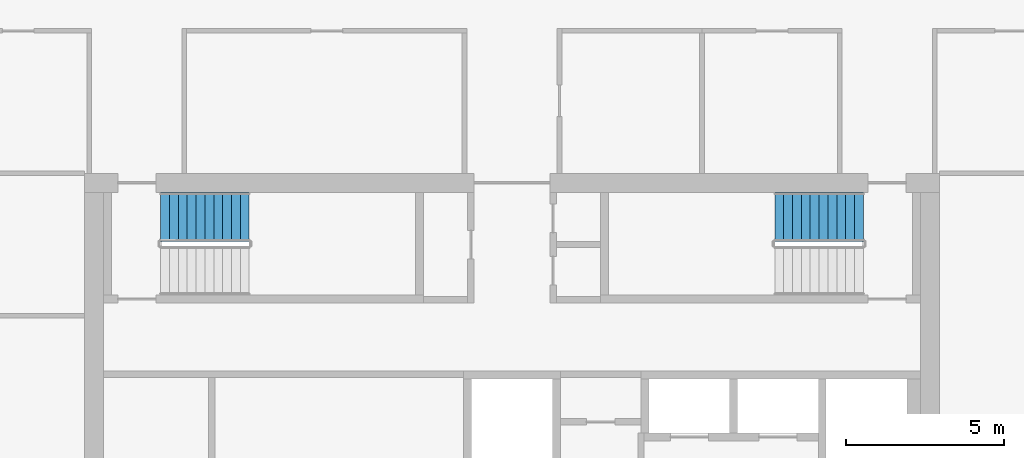
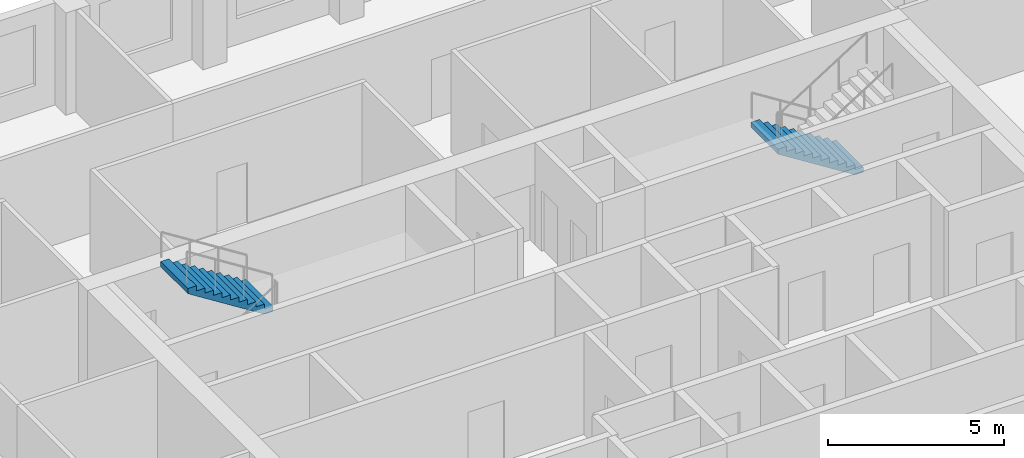
# One storey, part 8 of 9: 2 stair flights, 2 elements without a shape of their own.
"""IFC4 building model written with IfcOpenShell, lengths in metres."""

from ifc_helpers import new_model, si_unit, direction, frame, origin, place, context, subcontext, project, spatial, polyline, outline, extrude, material, type_object, element, aggregate, save


model = new_model("IFC4")

# Units and contexts
model_context = context("Model", 3, precision=1e-05, world=origin(), true_north=direction((0.0, 1.0)))
body_context = subcontext(model_context, "Body", "Model", "MODEL_VIEW")
ifc_project = project(units=[si_unit("LENGTHUNIT", "METRE"), si_unit("AREAUNIT", "SQUARE_METRE"), si_unit("VOLUMEUNIT", "CUBIC_METRE"), si_unit("PLANEANGLEUNIT", "RADIAN"), si_unit("MASSUNIT", "GRAM", prefix="KILO")], contexts=[model_context])

# Site, building, storey
site_placement = place(None, origin())
site = spatial("IfcSite", under=ifc_project, at=site_placement, CompositionType="ELEMENT")
building_placement = place(site_placement, origin())
building = spatial("IfcBuilding", under=site, at=building_placement, Name="Dhurran Vertical Campus", CompositionType="ELEMENT")
storey_placement = place(building_placement, frame((0.0, 0.0, 195.60009765625)))
storey = spatial("IfcBuildingStorey", under=building, at=storey_placement, Name="L48", CompositionType="ELEMENT", Elevation=195.60009765625)

# Stair, stair flight
ifc_material_1 = material(Name="Concrete C40/50", Category="concrete")
stair_type = type_object("IfcStairType", Name="co-ST-CORE", PredefinedType="HALF_TURN_STAIR", material=ifc_material_1)
stair_1_placement = place(storey_placement, origin())
stair_1 = element("IfcStair", 1, at=stair_1_placement, inside=storey, type_object=stair_type, Name="L48 Protected exit stair ST1", PredefinedType="HALF_TURN_STAIR")
ifc_material_2 = material(Name="Concrete C40/50", Category="concrete")
stair_flight_type = type_object("IfcStairFlightType", Name="co-SFL-RC", PredefinedType="STRAIGHT", material=ifc_material_2)
stair_flight_1_placement = place(storey_placement, frame((-8.300048828125, 9.875, 1.949951171875), z_axis=(0.0, 0.0, 1.0), x_axis=(-1.0, 0.0, 0.0)))
stair_flight_1 = element("IfcStairFlight", 2, at=stair_flight_1_placement, type_object=stair_flight_type, Name="ST1 flight 2", NumberOfRisers=11, NumberOfTreads=10, PredefinedType="STRAIGHT", RiserHeight=0.177272727, TreadLength=0.28, context=body_context, shape_type="SweptSolid", body=[
    extrude(outline(polyline([(0.0, 0.0), (0.0, 0.17724609375), (0.280029296875, 0.17724609375), (0.280029296875, 0.3544921875), (0.56005859375, 0.3544921875), (0.56005859375, 0.53173828125), (0.840087890625, 0.53173828125), (0.840087890625, 0.708984375), (1.1201171875, 0.708984375), (1.1201171875, 0.886474609375), (1.39990234375, 0.886474609375), (1.39990234375, 1.063720703125), (1.679931640625, 1.063720703125), (1.679931640625, 1.240966796875), (1.9599609375, 1.240966796875), (1.9599609375, 1.418212890625), (2.239990234375, 1.418212890625), (2.239990234375, 1.595458984375), (2.52001953125, 1.595458984375), (2.52001953125, 1.772705078125), (2.800048828125, 1.772705078125), (2.800048828125, 1.949951171875), (2.800048828125, 1.59521484375), (0.2802734375, 0.0), (0.0, 0.0)])), frame((0.0, 0.77490234375, 0.0), z_axis=(0.0, -1.0, 0.0), x_axis=(1.0, 0.0, 0.0)), (0.0, 0.0, 1.0), 1.550048828125),
])
aggregate(stair_1, [stair_flight_1])

stair_2_placement = place(storey_placement, origin())
stair_2 = element("IfcStair", 3, at=stair_2_placement, inside=storey, type_object=stair_type, Name="L48 Protected exit stair ST2", PredefinedType="HALF_TURN_STAIR")
stair_flight_2_placement = place(storey_placement, frame((11.10009765625, 9.875, 0.0), z_axis=(0.0, 0.0, 1.0), x_axis=(-1.0, 0.0, 0.0)))
stair_flight_2 = element("IfcStairFlight", 4, at=stair_flight_2_placement, type_object=stair_flight_type, Name="ST2 flight 1", NumberOfRisers=11, NumberOfTreads=10, PredefinedType="STRAIGHT", RiserHeight=0.177272727, TreadLength=0.28, context=body_context, shape_type="SweptSolid", body=[
    extrude(outline(polyline([(0.0, 0.0), (0.0, 0.17724609375), (0.280029296875, 0.17724609375), (0.280029296875, 0.3544921875), (0.56005859375, 0.3544921875), (0.56005859375, 0.53173828125), (0.840087890625, 0.53173828125), (0.840087890625, 0.708984375), (1.1201171875, 0.708984375), (1.1201171875, 0.886474609375), (1.39990234375, 0.886474609375), (1.39990234375, 1.063720703125), (1.679931640625, 1.063720703125), (1.679931640625, 1.240966796875), (1.9599609375, 1.240966796875), (1.9599609375, 1.418212890625), (2.239990234375, 1.418212890625), (2.239990234375, 1.595458984375), (2.52001953125, 1.595458984375), (2.52001953125, 1.772705078125), (2.800048828125, 1.772705078125), (2.800048828125, 1.949951171875), (2.800048828125, 1.59521484375), (0.2802734375, 0.0), (0.0, 0.0)])), frame((0.0, 0.77490234375, 0.0), z_axis=(0.0, -1.0, 0.0), x_axis=(1.0, 0.0, 0.0)), (0.0, 0.0, 1.0), 1.550048828125),
])
aggregate(stair_2, [stair_flight_2])

save(model, "model.ifc")
